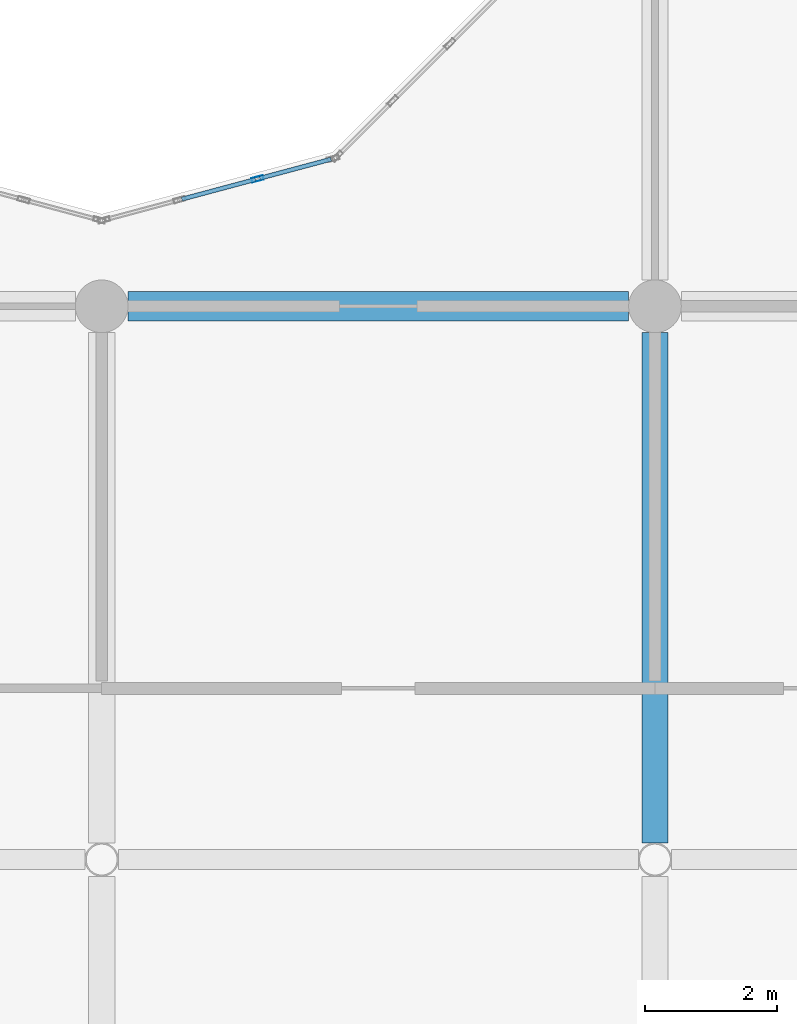
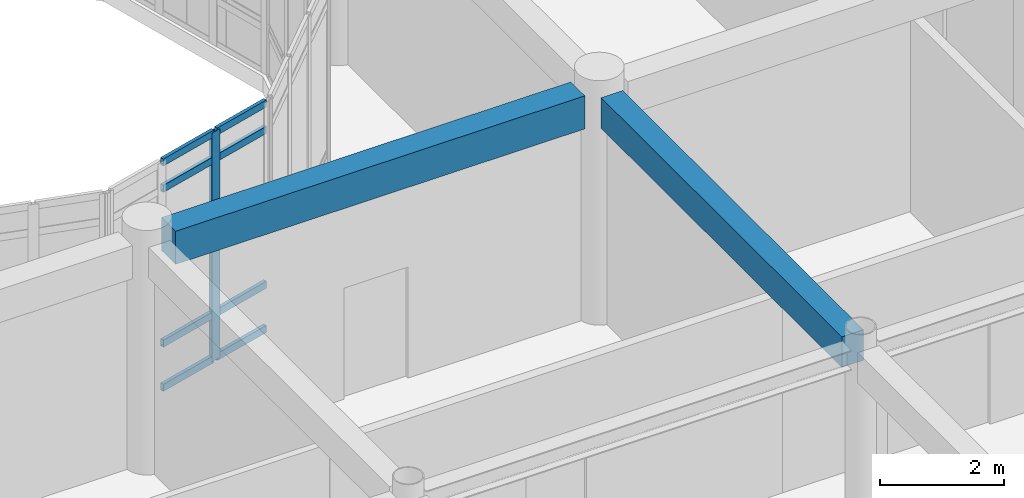
# One storey, part 35 of 138: 9 members, 2 beams, 1 element without a shape of its own.
"""IFC4 building model written with IfcOpenShell, lengths in metres."""

from ifc_helpers import new_model, si_unit, direction, frame, origin, origin_2d, place, context, subcontext, project, spatial, rectangle, hollow_rectangle, extrude, material, layer, layer_set, material_profile, profile_set, type_object, element, aggregate, save


model = new_model("IFC4")

# Units and contexts
model_context = context("Model", 3, precision=1e-05, world=origin(), true_north=direction((0.0, 1.0)))
body_context = subcontext(model_context, "Body", "Model", "MODEL_VIEW")
ifc_project = project(units=[si_unit("LENGTHUNIT", "METRE"), si_unit("AREAUNIT", "SQUARE_METRE"), si_unit("VOLUMEUNIT", "CUBIC_METRE"), si_unit("PLANEANGLEUNIT", "RADIAN"), si_unit("MASSUNIT", "GRAM", prefix="KILO")], contexts=[model_context])

# Site, building, storey
site_placement = place(None, origin())
site = spatial("IfcSite", under=ifc_project, at=site_placement, CompositionType="ELEMENT")
building_placement = place(site_placement, origin())
building = spatial("IfcBuilding", under=site, at=building_placement, Name="Bramfleet General Hospital", CompositionType="ELEMENT")
storey_placement = place(building_placement, origin())
storey = spatial("IfcBuildingStorey", under=building, at=storey_placement, Name="L00", CompositionType="ELEMENT", Elevation=0.0)

# Beams
ifc_material_1 = material(Name="Concrete C35/45", Category="concrete")
ifc_material_profile_1 = material_profile(ifc_material_1, rectangle(XDim=0.39990234375, YDim=0.60009765625, at=origin_2d()), Name="RC BM 600x400")
ifc_profile_set_1 = profile_set([ifc_material_profile_1], Name="Concrete C35/45")
beam_type_1 = type_object("IfcBeamType", Name="BM-RC600", PredefinedType="BEAM", material=ifc_profile_set_1)
beam_1_placement = place(storey_placement, frame((92.39990234375, 59.053955078125, 4.199951171875), z_axis=(0.0, 1.0, 0.0), x_axis=(-1.0, 0.0, 0.0)))
element("IfcBeam", 1, at=beam_1_placement, inside=storey, type_object=beam_type_1, Name="L00 Grid Beam Y 11-07", PredefinedType="BEAM", context=body_context, shape_type="SweptSolid", body=[
    extrude(rectangle(XDim=0.39990234375, YDim=0.60009765625, at=origin_2d()), origin(), (0.0, 0.0, 1.0), 7.74609375),
])
ifc_material_profile_2 = material_profile(ifc_material_1, rectangle(XDim=0.449951171875, YDim=0.64990234375, at=origin_2d()), Name="RC BM 650x450")
ifc_profile_set_2 = profile_set([ifc_material_profile_2], Name="Concrete C35/45")
beam_type_2 = type_object("IfcBeamType", Name="BM-RC650", PredefinedType="BEAM", material=ifc_profile_set_2)
beam_2_placement = place(storey_placement, frame((84.39990234375, 67.199951171875, 4.175048828125), z_axis=(1.0, 0.0, 0.0), x_axis=(0.0, 1.0, 0.0)))
element("IfcBeam", 2, at=beam_2_placement, inside=storey, type_object=beam_type_2, Name="L00 Grid Beam X 10-08", PredefinedType="BEAM", context=body_context, shape_type="SweptSolid", body=[
    extrude(rectangle(XDim=0.449951171875, YDim=0.64990234375, at=origin_2d()), origin(), (0.0, 0.0, 1.0), 7.60009765625),
])

# Curtain wall, members
ifc_material_2 = material(Name="Anodised aluminium and low-E triple glazing", Category="aluminium")
ifc_layer = layer(ifc_material_2, 0.179931640625, Name="CWT-CW-12")
ifc_layer_set = layer_set([ifc_layer], Name="Anodised aluminium and low-E triple glazing")
curtain_wall_type = type_object("IfcCurtainWallType", Name="CWT-CW-12", PredefinedType="USERDEFINED", material=ifc_layer_set)
curtain_wall_placement = place(storey_placement, origin())
curtain_wall = element("IfcCurtainWall", 3, at=curtain_wall_placement, inside=storey, type_object=curtain_wall_type, Name="L00 Central Diagnostic Light Court Curtain Wall 4.1", ObjectType="Stick curtain wall", PredefinedType="USERDEFINED")
ifc_material_3 = material(Name="Anodised aluminium EN AW-6060", Category="aluminium")
ifc_material_profile_3 = material_profile(ifc_material_3, hollow_rectangle(XDim=0.070068359375, YDim=0.179931640625, WallThickness=0.00390625, at=origin_2d()), Name="ALU 180x70x4.0")
ifc_profile_set_3 = profile_set([ifc_material_profile_3], Name="Anodised aluminium EN AW-6060")
member_type_1 = type_object("IfcMemberType", Name="CWM-ALU180", PredefinedType="MULLION", material=ifc_profile_set_3)
member_1_placement = place(storey_placement, frame((86.36669921875, 69.134033203125, 0.0), z_axis=(0.0, 0.0, 1.0), x_axis=(-0.258763286618, 0.965940765005, 0.0)))
member_1 = element("IfcMember", 4, at=member_1_placement, type_object=member_type_1, Name="CW-12 mullion 3", PredefinedType="MULLION", context=body_context, shape_type="SweptSolid", body=[
    extrude(hollow_rectangle(XDim=0.070068359375, YDim=0.179931640625, WallThickness=0.00390625, at=origin_2d()), origin(), (0.0, 0.0, 1.0), 4.489990234375),
])
ifc_material_profile_4 = material_profile(ifc_material_3, hollow_rectangle(XDim=0.06494140625, YDim=0.139892578125, WallThickness=0.00390625, at=origin_2d()), Name="ALU 140x65x4.0")
ifc_profile_set_4 = profile_set([ifc_material_profile_4], Name="Anodised aluminium EN AW-6060")
member_type_2 = type_object("IfcMemberType", Name="CWT-ALU140", PredefinedType="USERDEFINED", material=ifc_profile_set_4)
member_2_placement = place(storey_placement, frame((85.217041015625, 68.826171875, 0.032470703125), z_axis=(0.965953711242, 0.258714954608, 0.0), x_axis=(-0.258714954608, 0.965953711242, 0.0)))
member_2 = element("IfcMember", 5, at=member_2_placement, type_object=member_type_2, Name="CW-12 transom 2.1", ObjectType="TRANSOM", PredefinedType="USERDEFINED", context=body_context, shape_type="SweptSolid", body=[
    extrude(hollow_rectangle(XDim=0.06494140625, YDim=0.139892578125, WallThickness=0.00390625, at=origin_2d()), origin(), (0.0, 0.0, 1.0), 1.155029296875),
])
member_3_placement = place(storey_placement, frame((85.217041015625, 68.826171875, 0.89990234375), z_axis=(0.965953711242, 0.258714954608, 0.0), x_axis=(-0.258714954608, 0.965953711242, 0.0)))
member_3 = element("IfcMember", 6, at=member_3_placement, type_object=member_type_2, Name="CW-12 transom 2.2", ObjectType="TRANSOM", PredefinedType="USERDEFINED", context=body_context, shape_type="SweptSolid", body=[
    extrude(hollow_rectangle(XDim=0.06494140625, YDim=0.139892578125, WallThickness=0.00390625, at=origin_2d()), origin(), (0.0, 0.0, 1.0), 1.155029296875),
])
member_4_placement = place(storey_placement, frame((85.217041015625, 68.826171875, 3.93994140625), z_axis=(0.965953711242, 0.258714954608, 0.0), x_axis=(-0.258714954608, 0.965953711242, 0.0)))
member_4 = element("IfcMember", 7, at=member_4_placement, type_object=member_type_2, Name="CW-12 transom 2.3", ObjectType="TRANSOM", PredefinedType="USERDEFINED", context=body_context, shape_type="SweptSolid", body=[
    extrude(hollow_rectangle(XDim=0.06494140625, YDim=0.139892578125, WallThickness=0.00390625, at=origin_2d()), origin(), (0.0, 0.0, 1.0), 1.155029296875),
])
member_5_placement = place(storey_placement, frame((85.217041015625, 68.826171875, 4.45751953125), z_axis=(0.965953711242, 0.258714954608, 0.0), x_axis=(-0.258714954608, 0.965953711242, 0.0)))
member_5 = element("IfcMember", 8, at=member_5_placement, type_object=member_type_2, Name="CW-12 transom 2.4", ObjectType="TRANSOM", PredefinedType="USERDEFINED", context=body_context, shape_type="SweptSolid", body=[
    extrude(hollow_rectangle(XDim=0.06494140625, YDim=0.139892578125, WallThickness=0.00390625, at=origin_2d()), origin(), (0.0, 0.0, 1.0), 1.155029296875),
])
member_6_placement = place(storey_placement, frame((86.400390625, 69.14306640625, 0.032470703125), z_axis=(0.965955832691, 0.25870703371, 0.0), x_axis=(-0.25870703371, 0.965955832691, 0.0)))
member_6 = element("IfcMember", 9, at=member_6_placement, type_object=member_type_2, Name="CW-12 transom 3.1", ObjectType="TRANSOM", PredefinedType="USERDEFINED", context=body_context, shape_type="SweptSolid", body=[
    extrude(hollow_rectangle(XDim=0.06494140625, YDim=0.139892578125, WallThickness=0.00390625, at=origin_2d()), origin(), (0.0, 0.0, 1.0), 1.1201171875),
])
member_7_placement = place(storey_placement, frame((86.400390625, 69.14306640625, 0.89990234375), z_axis=(0.965955832691, 0.25870703371, 0.0), x_axis=(-0.25870703371, 0.965955832691, 0.0)))
member_7 = element("IfcMember", 10, at=member_7_placement, type_object=member_type_2, Name="CW-12 transom 3.2", ObjectType="TRANSOM", PredefinedType="USERDEFINED", context=body_context, shape_type="SweptSolid", body=[
    extrude(hollow_rectangle(XDim=0.06494140625, YDim=0.139892578125, WallThickness=0.00390625, at=origin_2d()), origin(), (0.0, 0.0, 1.0), 1.1201171875),
])
member_8_placement = place(storey_placement, frame((86.400390625, 69.14306640625, 3.93994140625), z_axis=(0.965955832691, 0.25870703371, 0.0), x_axis=(-0.25870703371, 0.965955832691, 0.0)))
member_8 = element("IfcMember", 11, at=member_8_placement, type_object=member_type_2, Name="CW-12 transom 3.3", ObjectType="TRANSOM", PredefinedType="USERDEFINED", context=body_context, shape_type="SweptSolid", body=[
    extrude(hollow_rectangle(XDim=0.06494140625, YDim=0.139892578125, WallThickness=0.00390625, at=origin_2d()), origin(), (0.0, 0.0, 1.0), 1.1201171875),
])
member_9_placement = place(storey_placement, frame((86.400390625, 69.14306640625, 4.45751953125), z_axis=(0.965955832691, 0.25870703371, 0.0), x_axis=(-0.25870703371, 0.965955832691, 0.0)))
member_9 = element("IfcMember", 12, at=member_9_placement, type_object=member_type_2, Name="CW-12 transom 3.4", ObjectType="TRANSOM", PredefinedType="USERDEFINED", context=body_context, shape_type="SweptSolid", body=[
    extrude(hollow_rectangle(XDim=0.06494140625, YDim=0.139892578125, WallThickness=0.00390625, at=origin_2d()), origin(), (0.0, 0.0, 1.0), 1.1201171875),
])
aggregate(curtain_wall, [member_1, member_2, member_3, member_4, member_5, member_6, member_7, member_8, member_9])

save(model, "model.ifc")
